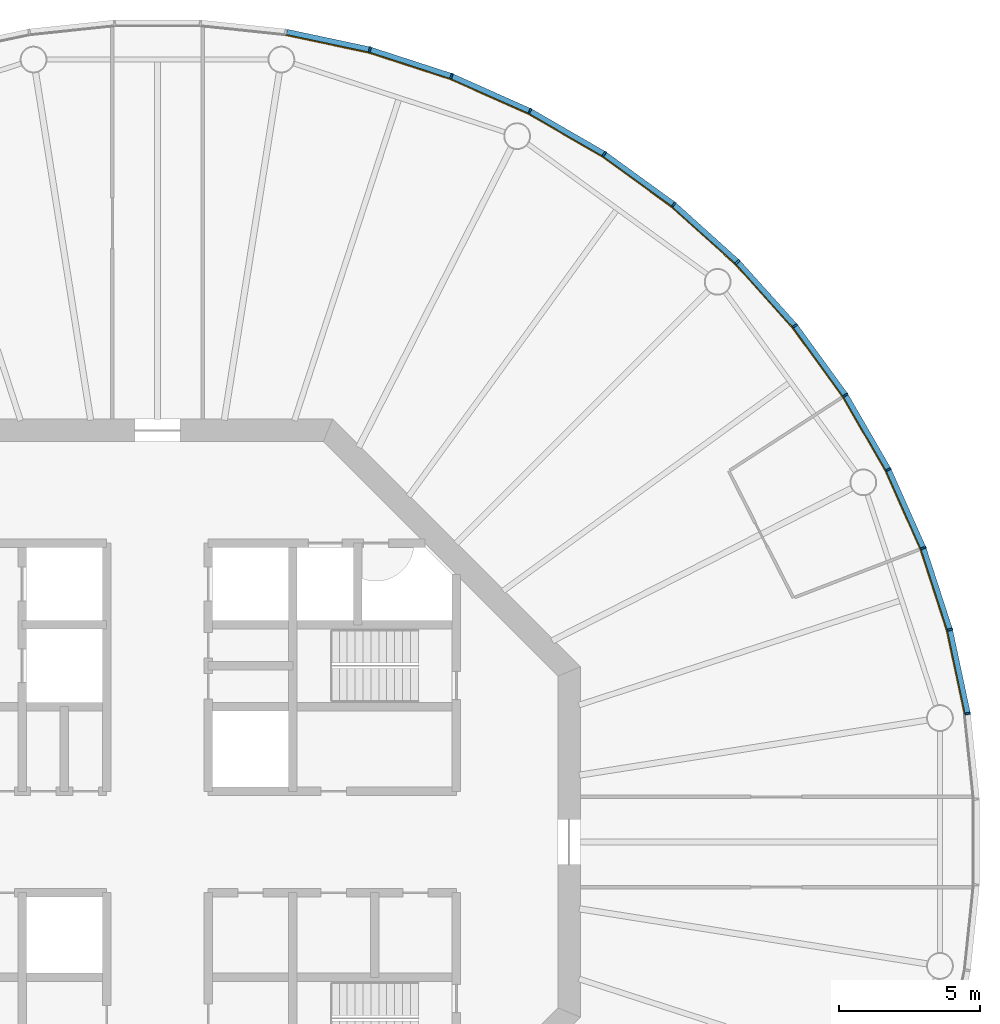
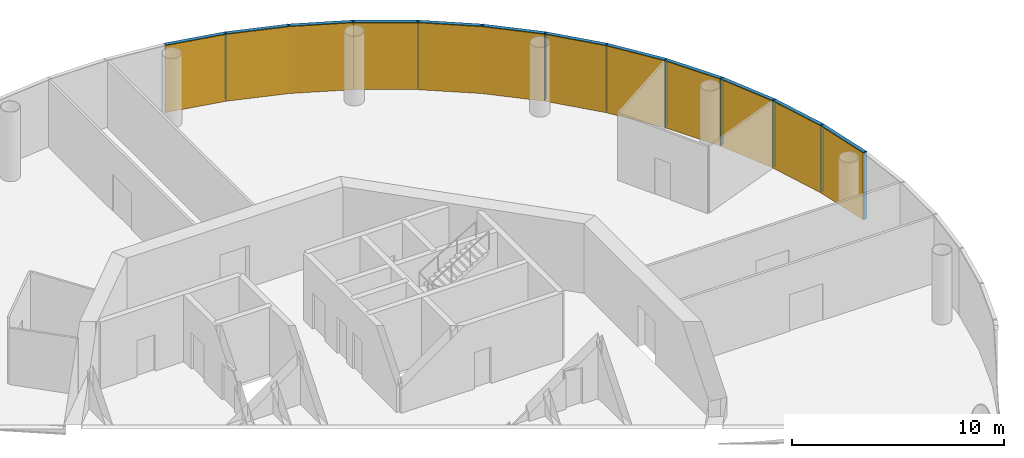
# One storey, part 11 of 12: 24 members, 4 curtain walls.
"""IFC4 building model written with IfcOpenShell, lengths in metres."""

from ifc_helpers import new_model, si_unit, direction, frame, origin, origin_2d, place, context, subcontext, project, spatial, polyline, rectangle, outline, extrude, material, layer, layer_set, material_profile, profile_set, type_object, element, aggregate, save


model = new_model("IFC4")

# Units and contexts
model_context = context("Model", 3, precision=1e-05, world=origin(), true_north=direction((0.0, 1.0)))
body_context = subcontext(model_context, "Body", "Model", "MODEL_VIEW")
ifc_project = project(units=[si_unit("LENGTHUNIT", "METRE"), si_unit("AREAUNIT", "SQUARE_METRE"), si_unit("VOLUMEUNIT", "CUBIC_METRE"), si_unit("PLANEANGLEUNIT", "RADIAN"), si_unit("MASSUNIT", "GRAM", prefix="KILO")], contexts=[model_context])

# Member
ifc_material_1 = material(Name="Anodised aluminium", Category="aluminium")
ifc_material_profile_1 = material_profile(ifc_material_1, rectangle(XDim=0.06494140625, YDim=0.195068359375, at=origin_2d()), Name="Mullion 65 x 195 mm anodised aluminium")
ifc_profile_set_1 = profile_set([ifc_material_profile_1], Name="Anodised aluminium")
member_type_1 = type_object("IfcMemberType", Name="Mullion 65 x 195 mm anodised aluminium", PredefinedType="MULLION", material=ifc_profile_set_1)
site_placement = place(None, origin())
building_placement = place(site_placement, origin())
storey_placement = place(building_placement, frame((0.0, 0.0, 322.0)))
member_1_placement = place(storey_placement, frame((118.7392578125, 84.5517578125, 0.0), z_axis=(0.0, 0.0, 1.0), x_axis=(-0.15643446504, 0.987688340595, 0.0)))
member_1 = element("IfcMember", 1, at=member_1_placement, type_object=member_type_1, Name="MULLION L74-00", PredefinedType="MULLION", context=body_context, shape_type="SweptSolid", body=[
    extrude(rectangle(XDim=0.06494140625, YDim=0.195068359375, at=origin_2d()), origin(), (0.0, 0.0, 1.0), 3.85009765625),
])

member_2_placement = place(storey_placement, frame((118.10595703125, 87.531005859375, 0.0), z_axis=(0.0, 0.0, 1.0), x_axis=(-0.258819045103, 0.965925826289, 0.0)))
member_2 = element("IfcMember", 2, at=member_2_placement, type_object=member_type_1, Name="MULLION L74-01", PredefinedType="MULLION", context=body_context, shape_type="SweptSolid", body=[
    extrude(rectangle(XDim=0.06494140625, YDim=0.195068359375, at=origin_2d()), origin(), (0.0, 0.0, 1.0), 3.85009765625),
])

member_3_placement = place(storey_placement, frame((117.164794921875, 90.427490234375, 0.0), z_axis=(0.0, 0.0, 1.0), x_axis=(-0.358367949545, 0.933580426497, 0.0)))
member_3 = element("IfcMember", 3, at=member_3_placement, type_object=member_type_1, Name="MULLION L74-02", PredefinedType="MULLION", context=body_context, shape_type="SweptSolid", body=[
    extrude(rectangle(XDim=0.06494140625, YDim=0.195068359375, at=origin_2d()), origin(), (0.0, 0.0, 1.0), 3.85009765625),
])

member_4_placement = place(storey_placement, frame((115.926025390625, 93.2099609375, 0.0), z_axis=(0.0, 0.0, 1.0), x_axis=(-0.45399049974, 0.891006524188, 0.0)))
member_4 = element("IfcMember", 4, at=member_4_placement, type_object=member_type_1, Name="MULLION L74-03", PredefinedType="MULLION", context=body_context, shape_type="SweptSolid", body=[
    extrude(rectangle(XDim=0.06494140625, YDim=0.195068359375, at=origin_2d()), origin(), (0.0, 0.0, 1.0), 3.85009765625),
])

member_5_placement = place(storey_placement, frame((114.4033203125, 95.84765625, 0.0), z_axis=(0.0, 0.0, 1.0), x_axis=(-0.544639035015, 0.838670567945, 0.0)))
member_5 = element("IfcMember", 5, at=member_5_placement, type_object=member_type_1, Name="MULLION L74-04", PredefinedType="MULLION", context=body_context, shape_type="SweptSolid", body=[
    extrude(rectangle(XDim=0.06494140625, YDim=0.195068359375, at=origin_2d()), origin(), (0.0, 0.0, 1.0), 3.85009765625),
])

member_6_placement = place(storey_placement, frame((112.613037109375, 98.311767578125, 0.0), z_axis=(0.0, 0.0, 1.0), x_axis=(-0.62932039105, 0.777145961457, 0.0)))
member_6 = element("IfcMember", 6, at=member_6_placement, type_object=member_type_1, Name="MULLION L74-05", PredefinedType="MULLION", context=body_context, shape_type="SweptSolid", body=[
    extrude(rectangle(XDim=0.06494140625, YDim=0.195068359375, at=origin_2d()), origin(), (0.0, 0.0, 1.0), 3.85009765625),
])

member_7_placement = place(storey_placement, frame((110.574951171875, 100.574951171875, 0.0), z_axis=(0.0, 0.0, 1.0), x_axis=(-0.707106781187, 0.707106781187, 0.0)))
member_7 = element("IfcMember", 7, at=member_7_placement, type_object=member_type_1, Name="MULLION L74-06", PredefinedType="MULLION", context=body_context, shape_type="SweptSolid", body=[
    extrude(rectangle(XDim=0.06494140625, YDim=0.195068359375, at=origin_2d()), origin(), (0.0, 0.0, 1.0), 3.85009765625),
])

member_8_placement = place(storey_placement, frame((108.311767578125, 102.613037109375, 0.0), z_axis=(0.0, 0.0, 1.0), x_axis=(-0.777145961457, 0.62932039105, 0.0)))
member_8 = element("IfcMember", 8, at=member_8_placement, type_object=member_type_1, Name="MULLION L74-07", PredefinedType="MULLION", context=body_context, shape_type="SweptSolid", body=[
    extrude(rectangle(XDim=0.06494140625, YDim=0.195068359375, at=origin_2d()), origin(), (0.0, 0.0, 1.0), 3.85009765625),
])

member_9_placement = place(storey_placement, frame((105.84765625, 104.4033203125, 0.0), z_axis=(0.0, 0.0, 1.0), x_axis=(-0.838670567945, 0.544639035015, 0.0)))
member_9 = element("IfcMember", 9, at=member_9_placement, type_object=member_type_1, Name="MULLION L74-08", PredefinedType="MULLION", context=body_context, shape_type="SweptSolid", body=[
    extrude(rectangle(XDim=0.06494140625, YDim=0.195068359375, at=origin_2d()), origin(), (0.0, 0.0, 1.0), 3.85009765625),
])

member_10_placement = place(storey_placement, frame((103.2099609375, 105.926025390625, 0.0), z_axis=(0.0, 0.0, 1.0), x_axis=(-0.891006524188, 0.45399049974, 0.0)))
member_10 = element("IfcMember", 10, at=member_10_placement, type_object=member_type_1, Name="MULLION L74-09", PredefinedType="MULLION", context=body_context, shape_type="SweptSolid", body=[
    extrude(rectangle(XDim=0.06494140625, YDim=0.195068359375, at=origin_2d()), origin(), (0.0, 0.0, 1.0), 3.85009765625),
])

member_11_placement = place(storey_placement, frame((100.427490234375, 107.164794921875, 0.0), z_axis=(0.0, 0.0, 1.0), x_axis=(-0.933580426497, 0.358367949545, 0.0)))
member_11 = element("IfcMember", 11, at=member_11_placement, type_object=member_type_1, Name="MULLION L74-10", PredefinedType="MULLION", context=body_context, shape_type="SweptSolid", body=[
    extrude(rectangle(XDim=0.06494140625, YDim=0.195068359375, at=origin_2d()), origin(), (0.0, 0.0, 1.0), 3.85009765625),
])

member_12_placement = place(storey_placement, frame((97.531005859375, 108.10595703125, 0.0), z_axis=(0.0, 0.0, 1.0), x_axis=(-0.965925826289, 0.258819045103, 0.0)))
member_12 = element("IfcMember", 12, at=member_12_placement, type_object=member_type_1, Name="MULLION L74-11", PredefinedType="MULLION", context=body_context, shape_type="SweptSolid", body=[
    extrude(rectangle(XDim=0.06494140625, YDim=0.195068359375, at=origin_2d()), origin(), (0.0, 0.0, 1.0), 3.85009765625),
])

ifc_material_2 = material(Name="Anodised aluminium", Category="aluminium")
ifc_material_profile_2 = material_profile(ifc_material_2, rectangle(XDim=0.195068359375, YDim=0.179931640625, at=origin_2d()), Name="Transom 180 x 195 mm anodised aluminium")
ifc_profile_set_2 = profile_set([ifc_material_profile_2], Name="Anodised aluminium")
member_type_2 = type_object("IfcMemberType", Name="Transom 180 x 195 mm anodised aluminium", PredefinedType="USERDEFINED", material=ifc_profile_set_2)
member_13_placement = place(storey_placement, frame((118.731689453125, 84.588623046875, 3.760009765625), z_axis=(-0.207940342877, 0.978141510112, 0.0), x_axis=(-0.978141510112, -0.207940342877, 0.0)))
member_13 = element("IfcMember", 13, at=member_13_placement, type_object=member_type_2, Name="TRANSOM L74-00", ObjectType="TRANSOM", PredefinedType="USERDEFINED", context=body_context, shape_type="SweptSolid", body=[
    extrude(rectangle(XDim=0.195068359375, YDim=0.179931640625, at=origin_2d()), origin(), (0.0, 0.0, 1.0), 2.970458984375),
])

member_14_placement = place(storey_placement, frame((118.094482421875, 87.56689453125, 3.760009765625), z_axis=(-0.309043326415, 0.951047960094, 0.0), x_axis=(-0.951047960094, -0.309043326415, 0.0)))
member_14 = element("IfcMember", 14, at=member_14_placement, type_object=member_type_2, Name="TRANSOM L74-01", ObjectType="TRANSOM", PredefinedType="USERDEFINED", context=body_context, shape_type="SweptSolid", body=[
    extrude(rectangle(XDim=0.195068359375, YDim=0.179931640625, at=origin_2d()), origin(), (0.0, 0.0, 1.0), 2.970458984375),
])

member_15_placement = place(storey_placement, frame((117.149658203125, 90.4619140625, 3.760009765625), z_axis=(-0.406725527369, 0.913550406593, 0.0), x_axis=(-0.913550406593, -0.406725527369, 0.0)))
member_15 = element("IfcMember", 15, at=member_15_placement, type_object=member_type_2, Name="TRANSOM L74-02", ObjectType="TRANSOM", PredefinedType="USERDEFINED", context=body_context, shape_type="SweptSolid", body=[
    extrude(rectangle(XDim=0.195068359375, YDim=0.179931640625, at=origin_2d()), origin(), (0.0, 0.0, 1.0), 2.970703125),
])

member_16_placement = place(storey_placement, frame((115.907470703125, 93.24267578125, 3.760009765625), z_axis=(-0.500028367561, 0.866009025146, 0.0), x_axis=(-0.866009025146, -0.500028367561, 0.0)))
member_16 = element("IfcMember", 16, at=member_16_placement, type_object=member_type_2, Name="TRANSOM L74-03", ObjectType="TRANSOM", PredefinedType="USERDEFINED", context=body_context, shape_type="SweptSolid", body=[
    extrude(rectangle(XDim=0.195068359375, YDim=0.179931640625, at=origin_2d()), origin(), (0.0, 0.0, 1.0), 2.970458984375),
])

member_17_placement = place(storey_placement, frame((114.381103515625, 95.878173828125, 3.760009765625), z_axis=(-0.587765987476, 0.809030990733, 0.0), x_axis=(-0.809030990733, -0.587765987476, 0.0)))
member_17 = element("IfcMember", 17, at=member_17_placement, type_object=member_type_2, Name="TRANSOM L74-04", ObjectType="TRANSOM", PredefinedType="USERDEFINED", context=body_context, shape_type="SweptSolid", body=[
    extrude(rectangle(XDim=0.195068359375, YDim=0.179931640625, at=origin_2d()), origin(), (0.0, 0.0, 1.0), 2.97021484375),
])

member_18_placement = place(storey_placement, frame((112.587890625, 98.339599609375, 3.760009765625), z_axis=(-0.669110027395, 0.743163354343, 0.0), x_axis=(-0.743163354343, -0.669110027395, 0.0)))
member_18 = element("IfcMember", 18, at=member_18_placement, type_object=member_type_2, Name="TRANSOM L74-05", ObjectType="TRANSOM", PredefinedType="USERDEFINED", context=body_context, shape_type="SweptSolid", body=[
    extrude(rectangle(XDim=0.195068359375, YDim=0.179931640625, at=origin_2d()), origin(), (0.0, 0.0, 1.0), 2.970458984375),
])

member_19_placement = place(storey_placement, frame((110.547119140625, 100.600341796875, 3.760009765625), z_axis=(-0.743163354343, 0.669110027395, 0.0), x_axis=(-0.669110027395, -0.743163354343, 0.0)))
member_19 = element("IfcMember", 19, at=member_19_placement, type_object=member_type_2, Name="TRANSOM L74-06", ObjectType="TRANSOM", PredefinedType="USERDEFINED", context=body_context, shape_type="SweptSolid", body=[
    extrude(rectangle(XDim=0.195068359375, YDim=0.179931640625, at=origin_2d()), origin(), (0.0, 0.0, 1.0), 2.970458984375),
])

member_20_placement = place(storey_placement, frame((108.28125, 102.63525390625, 3.760009765625), z_axis=(-0.809030990733, 0.587765987476, 0.0), x_axis=(-0.587765987476, -0.809030990733, 0.0)))
member_20 = element("IfcMember", 20, at=member_20_placement, type_object=member_type_2, Name="TRANSOM L74-07", ObjectType="TRANSOM", PredefinedType="USERDEFINED", context=body_context, shape_type="SweptSolid", body=[
    extrude(rectangle(XDim=0.195068359375, YDim=0.179931640625, at=origin_2d()), origin(), (0.0, 0.0, 1.0), 2.97021484375),
])

member_21_placement = place(storey_placement, frame((105.815185546875, 104.422119140625, 3.760009765625), z_axis=(-0.866009025146, 0.500028367561, 0.0), x_axis=(-0.500028367561, -0.866009025146, 0.0)))
member_21 = element("IfcMember", 21, at=member_21_placement, type_object=member_type_2, Name="TRANSOM L74-08", ObjectType="TRANSOM", PredefinedType="USERDEFINED", context=body_context, shape_type="SweptSolid", body=[
    extrude(rectangle(XDim=0.195068359375, YDim=0.179931640625, at=origin_2d()), origin(), (0.0, 0.0, 1.0), 2.970458984375),
])

member_22_placement = place(storey_placement, frame((103.17578125, 105.94140625, 3.760009765625), z_axis=(-0.913550406593, 0.406725527369, 0.0), x_axis=(-0.406725527369, -0.913550406593, 0.0)))
member_22 = element("IfcMember", 22, at=member_22_placement, type_object=member_type_2, Name="TRANSOM L74-09", ObjectType="TRANSOM", PredefinedType="USERDEFINED", context=body_context, shape_type="SweptSolid", body=[
    extrude(rectangle(XDim=0.195068359375, YDim=0.179931640625, at=origin_2d()), origin(), (0.0, 0.0, 1.0), 2.970703125),
])

member_23_placement = place(storey_placement, frame((100.391845703125, 107.176513671875, 3.760009765625), z_axis=(-0.951047960094, 0.309043326415, 0.0), x_axis=(-0.309043326415, -0.951047960094, 0.0)))
member_23 = element("IfcMember", 23, at=member_23_placement, type_object=member_type_2, Name="TRANSOM L74-10", ObjectType="TRANSOM", PredefinedType="USERDEFINED", context=body_context, shape_type="SweptSolid", body=[
    extrude(rectangle(XDim=0.195068359375, YDim=0.179931640625, at=origin_2d()), origin(), (0.0, 0.0, 1.0), 2.970458984375),
])

member_24_placement = place(storey_placement, frame((97.494140625, 108.114013671875, 3.760009765625), z_axis=(-0.978141510112, 0.207940342877, 0.0), x_axis=(-0.207940342877, -0.978141510112, 0.0)))
member_24 = element("IfcMember", 24, at=member_24_placement, type_object=member_type_2, Name="TRANSOM L74-11", ObjectType="TRANSOM", PredefinedType="USERDEFINED", context=body_context, shape_type="SweptSolid", body=[
    extrude(rectangle(XDim=0.195068359375, YDim=0.179931640625, at=origin_2d()), origin(), (0.0, 0.0, 1.0), 2.970458984375),
])

# Site, building, storey
site = spatial("IfcSite", under=ifc_project, at=site_placement, CompositionType="ELEMENT")
building = spatial("IfcBuilding", under=site, at=building_placement, Name="Entoto Ring Tower", CompositionType="ELEMENT")
storey = spatial("IfcBuildingStorey", under=building, at=storey_placement, Name="L74", CompositionType="ELEMENT", Elevation=322.0)

# Curtain wall
ifc_material_3 = material(Name="Clear low-iron glass", Category="glass")
ifc_layer = layer(ifc_material_3, 0.033935546875)
ifc_layer_set = layer_set([ifc_layer], Name="Clear low-iron glass")
curtain_wall_type = type_object("IfcCurtainWallType", Name="Curtain wall system CW5 glazing 34 mm", PredefinedType="NOTDEFINED", material=ifc_layer_set)
curtain_wall_1_placement = place(storey_placement, origin())
curtain_wall_1 = element("IfcCurtainWall", 25, at=curtain_wall_1_placement, inside=storey, type_object=curtain_wall_type, Name="CW5 L74-01", PredefinedType="NOTDEFINED", context=body_context, shape_type="SweptSolid", body=[
    extrude(outline(polyline([(118.64306640625, 84.53662109375), (118.011962890625, 87.505859375), (117.07373046875, 90.392578125), (115.839111328125, 93.165771484375), (115.808837890625, 93.150146484375), (117.0419921875, 90.38037109375), (117.97900390625, 87.496826171875), (118.609375, 84.53125), (118.64306640625, 84.53662109375)])), origin(), (0.0, 0.0, 1.0), 3.85009765625),
])

aggregate(curtain_wall_1, [member_1, member_2, member_3, member_13, member_14, member_15])

curtain_wall_2_placement = place(storey_placement, origin())
curtain_wall_2 = element("IfcCurtainWall", 26, at=curtain_wall_2_placement, inside=storey, type_object=curtain_wall_type, Name="CW5 L74-02", PredefinedType="NOTDEFINED", context=body_context, shape_type="SweptSolid", body=[
    extrude(outline(polyline([(115.839111328125, 93.165771484375), (114.321533203125, 95.79443359375), (112.537353515625, 98.250244140625), (110.506103515625, 100.506103515625), (110.48193359375, 100.48193359375), (112.5107421875, 98.228759765625), (114.29296875, 95.77587890625), (115.808837890625, 93.150146484375), (115.839111328125, 93.165771484375)])), origin(), (0.0, 0.0, 1.0), 3.85009765625),
])

aggregate(curtain_wall_2, [member_4, member_5, member_6, member_16, member_17, member_18])

curtain_wall_3_placement = place(storey_placement, origin())
curtain_wall_3 = element("IfcCurtainWall", 27, at=curtain_wall_3_placement, inside=storey, type_object=curtain_wall_type, Name="CW5 L74-03", PredefinedType="NOTDEFINED", context=body_context, shape_type="SweptSolid", body=[
    extrude(outline(polyline([(110.506103515625, 100.506103515625), (108.250244140625, 102.537353515625), (105.79443359375, 104.321533203125), (103.165771484375, 105.839111328125), (103.150146484375, 105.808837890625), (105.77587890625, 104.29296875), (108.228759765625, 102.5107421875), (110.48193359375, 100.48193359375), (110.506103515625, 100.506103515625)])), origin(), (0.0, 0.0, 1.0), 3.85009765625),
])

aggregate(curtain_wall_3, [member_7, member_8, member_9, member_19, member_20, member_21])

curtain_wall_4_placement = place(storey_placement, origin())
curtain_wall_4 = element("IfcCurtainWall", 28, at=curtain_wall_4_placement, inside=storey, type_object=curtain_wall_type, Name="CW5 L74-04", PredefinedType="NOTDEFINED", context=body_context, shape_type="SweptSolid", body=[
    extrude(outline(polyline([(103.165771484375, 105.839111328125), (100.392578125, 107.07373046875), (97.505859375, 108.011962890625), (94.53662109375, 108.64306640625), (94.53125, 108.609375), (97.496826171875, 107.97900390625), (100.38037109375, 107.0419921875), (103.150146484375, 105.808837890625), (103.165771484375, 105.839111328125)])), origin(), (0.0, 0.0, 1.0), 3.85009765625),
])

aggregate(curtain_wall_4, [member_10, member_11, member_12, member_22, member_23, member_24])

save(model, "model.ifc")
